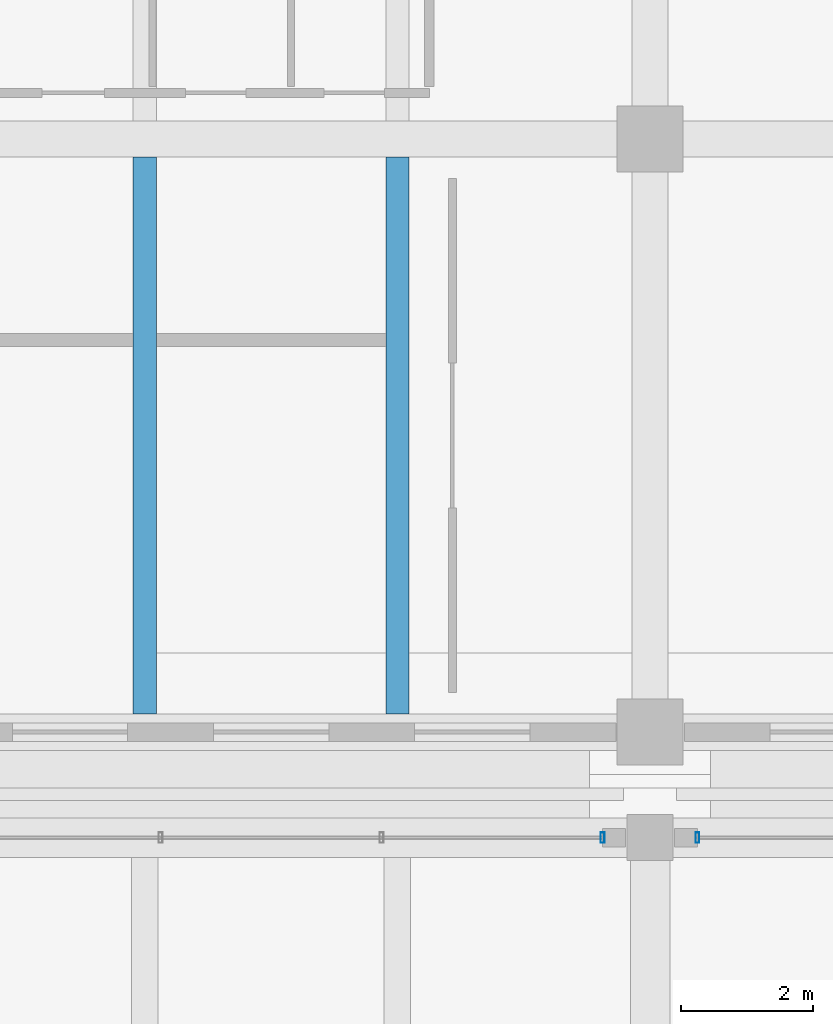
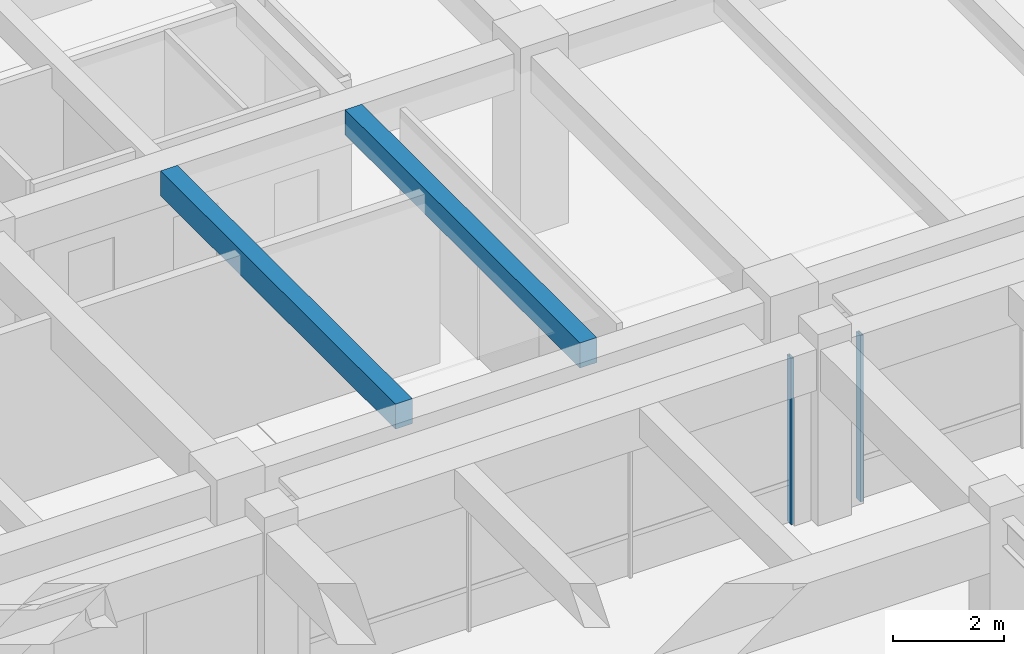
# One storey, part 26 of 98: 2 beams, 2 members, 2 elements without a shape of their own.
"""IFC4 building model written with IfcOpenShell, lengths in metres."""

import ifcopenshell
import ifcopenshell.guid

model = None  # the IFC model being written
_history = None  # IfcOwnerHistory: only IFC2X3 demands one
_inside = {}  # id of a spatial element -> (the spatial element, [elements in it])
_under = {}  # id of a project, library or spatial element -> (it, [spatial elements below it])
_declared = {}  # id of a project -> (the project, [libraries it declares])
_typed = {}  # id of a type object -> (the type object, [elements of that type])
_made_of = {}  # id of a material, layer set ... -> (it, [elements and type objects made of it])


def new_model(schema):
    """Start an empty IFC model of exactly this schema.

    Asked for "IFC4X3", IfcOpenShell would pick the latest addendum, in which some entities
    have other attributes; the version numbers below select the first issue.
    IFC2X3 requires an IfcOwnerHistory on every rooted entity: one is made here for all.
    """
    global model, _history
    if schema == "IFC4X3":
        model = ifcopenshell.file(schema_version=(4, 3, 0, 0))
    else:
        model = ifcopenshell.file(schema=schema)
    _inside.clear()
    _under.clear()
    _declared.clear()
    _typed.clear()
    _made_of.clear()
    _history = None
    if model.schema == "IFC2X3":
        org = make("IfcOrganization", Name="unknown")
        user = make(
            "IfcPersonAndOrganization",
            ThePerson=make("IfcPerson", FamilyName="unknown"),
            TheOrganization=org,
        )
        app = make(
            "IfcApplication",
            ApplicationDeveloper=org,
            Version="unknown",
            ApplicationFullName="unknown",
            ApplicationIdentifier="unknown",
        )
        _history = make(
            "IfcOwnerHistory",
            OwningUser=user,
            OwningApplication=app,
            ChangeAction="ADDED",
            CreationDate=0,
        )
    return model


def make(cls, **values):
    """One entity of the class cls with the attributes given. An attribute that is None is left unset."""
    return model.create_entity(
        cls, **{name: value for name, value in values.items() if value is not None}
    )


def rooted(cls, **values):
    """An entity with a GlobalId (a new one), such as an element, a storey or a relation."""
    return make(cls, GlobalId=ifcopenshell.guid.new(), OwnerHistory=_history, **values)


def si_unit(unit_type, name, prefix=None):
    """IfcSIUnit, for example si_unit("LENGTHUNIT", "METRE", prefix="MILLI")."""
    return make("IfcSIUnit", UnitType=unit_type, Prefix=prefix, Name=name)


def assignment(units):
    """IfcUnitAssignment: the units of a project."""
    return None if units is None else make("IfcUnitAssignment", Units=units)


def point(xyz):
    """IfcCartesianPoint."""
    return None if xyz is None else make("IfcCartesianPoint", Coordinates=xyz)


def direction(xyz):
    """IfcDirection."""
    return None if xyz is None else make("IfcDirection", DirectionRatios=xyz)


def frame(location, z_axis=None, x_axis=None):
    """IfcAxis2Placement3D, a coordinate frame: its origin and axes. An axis left out is left unset."""
    return make(
        "IfcAxis2Placement3D",
        Location=point(location),
        Axis=direction(z_axis),
        RefDirection=direction(x_axis),
    )


def frame_2d(location, x_axis=None):
    """IfcAxis2Placement2D, a coordinate frame in the plane: its origin and x axis."""
    return make(
        "IfcAxis2Placement2D", Location=point(location), RefDirection=direction(x_axis)
    )


def origin():
    """The frame at (0, 0, 0) with its axes left unset."""
    return frame((0.0, 0.0, 0.0))


def origin_2d():
    """The frame at (0, 0) in the plane with its x axis left unset."""
    return frame_2d((0.0, 0.0))


def place(relative_to, where):
    """IfcLocalPlacement: puts the frame where relative to a parent placement (None: the world)."""
    return make(
        "IfcLocalPlacement", PlacementRelTo=relative_to, RelativePlacement=where
    )


def context(
    kind, dimensions, precision=None, world=None, true_north=None, identifier=None
):
    """IfcGeometricRepresentationContext, for example the 3D "Model" context."""
    return make(
        "IfcGeometricRepresentationContext",
        ContextIdentifier=identifier,
        ContextType=kind,
        CoordinateSpaceDimension=dimensions,
        Precision=precision,
        WorldCoordinateSystem=world,
        TrueNorth=true_north,
    )


def subcontext(parent, identifier, kind, view, scale=None):
    """IfcGeometricRepresentationSubContext, for example "Body" below "Model"."""
    return make(
        "IfcGeometricRepresentationSubContext",
        ContextIdentifier=identifier,
        ContextType=kind,
        ParentContext=parent,
        TargetScale=scale,
        TargetView=view,
    )


def project(units=None, contexts=None):
    """IfcProject with its units and contexts."""
    return rooted(
        "IfcProject",
        Name="project",
        RepresentationContexts=contexts,
        UnitsInContext=assignment(units),
    )


def spatial(cls, under=None, at=None, **own):
    """A site, building, storey or space (cls), placed at a placement, below another one or the project."""
    s = rooted(cls, ObjectPlacement=at, **own)
    if under is not None:
        _under.setdefault(under.id(), (under, []))[1].append(s)
    return s


def profile(cls, at=None, kind="AREA", **sizes):
    """A parametric profile (cls). Its sizes go by their IFC names, for example OverallWidth=200.0."""
    return make(cls, ProfileType=kind, Position=at, **sizes)


def rectangle(**sizes):
    """IfcRectangleProfileDef."""
    return profile("IfcRectangleProfileDef", **sizes)


def hollow_rectangle(**sizes):
    """IfcRectangleHollowProfileDef."""
    return profile("IfcRectangleHollowProfileDef", **sizes)


def extrude(swept, where, along, depth):
    """IfcExtrudedAreaSolid: the profile swept, set in the frame where, extruded along a direction by depth."""
    return make(
        "IfcExtrudedAreaSolid",
        SweptArea=swept,
        Position=where,
        ExtrudedDirection=direction(along),
        Depth=depth,
    )


def shape(context_of_items, identifier, shape_type, items):
    """IfcShapeRepresentation: the items that make up one representation, for example the "Body"."""
    return make(
        "IfcShapeRepresentation",
        ContextOfItems=context_of_items,
        RepresentationIdentifier=identifier,
        RepresentationType=shape_type,
        Items=items,
    )


def material(Name=None, Category=None):
    """IfcMaterial."""
    return make("IfcMaterial", Name=Name, Category=Category)


def material_profile(
    of_material, cross_section, Name=None, Category=None, Priority=None
):
    """IfcMaterialProfile: a cross section and its material."""
    return make(
        "IfcMaterialProfile",
        Name=Name,
        Material=of_material,
        Profile=cross_section,
        Priority=Priority,
        Category=Category,
    )


def profile_set(profiles, Name=None, composite=None):
    """IfcMaterialProfileSet."""
    return make(
        "IfcMaterialProfileSet",
        Name=Name,
        MaterialProfiles=profiles,
        CompositeProfile=composite,
    )


def made_of(thing, what):
    """Note that an element or type object is made of a material, layer set ...; save() writes the relation."""
    if what is not None:
        _made_of.setdefault(what.id(), (what, []))[1].append(thing)
    return thing


def type_object(cls, material=None, **own):
    """A type object (cls), such as IfcWallType, which elements share."""
    return made_of(rooted(cls, **own), material)


def element(
    cls,
    number,
    at=None,
    inside=None,
    cuts=None,
    type_object=None,
    material=None,
    context=None,
    identifier="Body",
    shape_type=None,
    held_by="IfcProductDefinitionShape",
    body=None,
    shapes=None,
    **own,
):
    """One element of the class cls, such as IfcWall. Its Tag is "e" and its number.

    at: its placement. inside: the storey or other place that contains it. cuts: it is an
    opening in that element (IfcRelVoidsElement). A single representation is given by context,
    identifier, shape_type and body (its items); several are given by shapes. held_by: the class
    of the entity that holds the representations. save() writes the other relations.
    """
    e = rooted(cls, Tag="e%d" % number, ObjectPlacement=at, **own)
    if body is not None:
        shapes = [shape(context, identifier, shape_type, body)]
    if shapes is not None:
        e.Representation = make(held_by, Representations=shapes)
    if inside is not None:
        _inside.setdefault(inside.id(), (inside, []))[1].append(e)
    if cuts is not None:
        rooted(
            "IfcRelVoidsElement", RelatingBuildingElement=cuts, RelatedOpeningElement=e
        )
    if type_object is not None:
        _typed.setdefault(type_object.id(), (type_object, []))[1].append(e)
    return made_of(e, material)


def aggregate(whole, parts):
    """IfcRelAggregates: a whole, such as a stair, and the parts it consists of."""
    return rooted("IfcRelAggregates", RelatingObject=whole, RelatedObjects=parts)


def save(model, path):
    """Write the relations noted so far, then the file.

    IfcRelAggregates (storeys below a building ...), IfcRelContainedInSpatialStructure (elements
    in a storey), IfcRelDefinesByType, IfcRelAssociatesMaterial and IfcRelDeclares: one each for
    every whole, place, type object, material and project.
    """
    for whole, parts in _under.values():
        aggregate(whole, parts)
    for where, things in _inside.values():
        rooted(
            "IfcRelContainedInSpatialStructure",
            RelatedElements=things,
            RelatingStructure=where,
        )
    for kind, things in _typed.values():
        rooted("IfcRelDefinesByType", RelatedObjects=things, RelatingType=kind)
    for what, things in _made_of.values():
        rooted("IfcRelAssociatesMaterial", RelatedObjects=things, RelatingMaterial=what)
    for by, libraries in _declared.values():
        rooted("IfcRelDeclares", RelatingContext=by, RelatedDefinitions=libraries)
    model.write(path)


model = new_model("IFC4")

# Units and contexts
model_context = context("Model", 3, precision=1e-05, world=origin(), true_north=direction((0.0, 1.0)))
body_context = subcontext(model_context, "Body", "Model", "MODEL_VIEW")
ifc_project = project(units=[si_unit("LENGTHUNIT", "METRE"), si_unit("AREAUNIT", "SQUARE_METRE"), si_unit("VOLUMEUNIT", "CUBIC_METRE"), si_unit("PLANEANGLEUNIT", "RADIAN"), si_unit("MASSUNIT", "GRAM", prefix="KILO")], contexts=[model_context])

# Site, building, storey
site_placement = place(None, origin())
site = spatial("IfcSite", under=ifc_project, at=site_placement, CompositionType="ELEMENT")
building_placement = place(site_placement, origin())
building = spatial("IfcBuilding", under=site, at=building_placement, Name="Ologun Quay Terminus", CompositionType="ELEMENT")
storey_placement = place(building_placement, frame((0.0, 0.0, 4.199951171875)))
storey = spatial("IfcBuildingStorey", under=building, at=storey_placement, Name="L01", CompositionType="ELEMENT", Elevation=4.199951171875)

# Curtain wall, member
ifc_material_1 = material(Name="Aluminium 6063-T6", Category="aluminium")
curtain_wall_type = type_object("IfcCurtainWallType", Name="Forecourt Mezzanine Curtain Wall 10700x3850", PredefinedType="USERDEFINED", material=ifc_material_1)
curtain_wall_1_placement = place(storey_placement, origin())
curtain_wall_1 = element("IfcCurtainWall", 1, at=curtain_wall_1_placement, inside=storey, type_object=curtain_wall_type, Name="CW-04 Curtain Wall CW-L01-088", ObjectType="UNITISED CURTAIN WALL", PredefinedType="USERDEFINED")
ifc_material_2 = material(Name="Aluminium 6063-T6", Category="aluminium")
ifc_material_profile_1 = material_profile(ifc_material_2, hollow_rectangle(XDim=0.06005859375, YDim=0.159912109375, WallThickness=0.00390625, at=origin_2d()), Name="ALU 160x60x4")
ifc_profile_set_1 = profile_set([ifc_material_profile_1], Name="Aluminium 6063-T6")
member_type = type_object("IfcMemberType", Name="Courtyard Screen Mullion 160x65", PredefinedType="MULLION", material=ifc_profile_set_1)
member_1_placement = place(storey_placement, frame((56.780029296875, 84.199951171875, 0.0), z_axis=(0.0, 0.0, 1.0), x_axis=(1.0, 0.0, 0.0)))
member_1 = element("IfcMember", 2, at=member_1_placement, type_object=member_type, Name="CW-L01-088 Mullion 4", PredefinedType="MULLION", context=body_context, shape_type="SweptSolid", body=[
    extrude(hollow_rectangle(XDim=0.06005859375, YDim=0.159912109375, WallThickness=0.00390625, at=origin_2d()), origin(), (0.0, 0.0, 1.0), 3.650146484375),
])
aggregate(curtain_wall_1, [member_1])

curtain_wall_2_placement = place(storey_placement, origin())
curtain_wall_2 = element("IfcCurtainWall", 3, at=curtain_wall_2_placement, inside=storey, type_object=curtain_wall_type, Name="CW-04 Curtain Wall CW-L01-089", ObjectType="UNITISED CURTAIN WALL", PredefinedType="USERDEFINED")
member_2_placement = place(storey_placement, frame((58.219970703125, 84.199951171875, 0.0), z_axis=(0.0, 0.0, 1.0), x_axis=(1.0, 0.0, 0.0)))
member_2 = element("IfcMember", 4, at=member_2_placement, type_object=member_type, Name="CW-L01-089 Mullion 1", PredefinedType="MULLION", context=body_context, shape_type="SweptSolid", body=[
    extrude(hollow_rectangle(XDim=0.06005859375, YDim=0.159912109375, WallThickness=0.00390625, at=origin_2d()), origin(), (0.0, 0.0, 1.0), 3.650146484375),
])
aggregate(curtain_wall_2, [member_2])

# Beams
ifc_material_3 = material(Name="Concrete C40/50", Category="concrete")
ifc_material_profile_2 = material_profile(ifc_material_3, rectangle(XDim=0.35009765625, YDim=0.550048828125, at=origin_2d()), Name="RC 350x550")
ifc_profile_set_2 = profile_set([ifc_material_profile_2], Name="Concrete C40/50")
beam_type = type_object("IfcBeamType", Name="Courtyard Wing Secondary Joist 350x550", PredefinedType="JOIST", material=ifc_profile_set_2)
for number, where, z_axis, x_axis, name in (
    (5, (49.833251953125, 86.074951171875, 3.675048828125), (0.0, 1.0, 0.0), (-1.0, 0.0, 0.0), "J2 Beam 5/G2 L01"),
    (6, (53.666748046875, 86.074951171875, 3.675048828125), (0.0, 1.0, 0.0), (-1.0, 0.0, 0.0), "J2 Beam 5/G2 L01"),
):
    element("IfcBeam", number, at=place(storey_placement, frame(where, z_axis=z_axis, x_axis=x_axis)), inside=storey, type_object=beam_type, Name=name, PredefinedType="JOIST", context=body_context, shape_type="SweptSolid", body=[
        extrude(rectangle(XDim=0.35009765625, YDim=0.550048828125, at=origin_2d()), origin(), (0.0, 0.0, 1.0), 8.449951171875),
    ])

save(model, "model.ifc")
